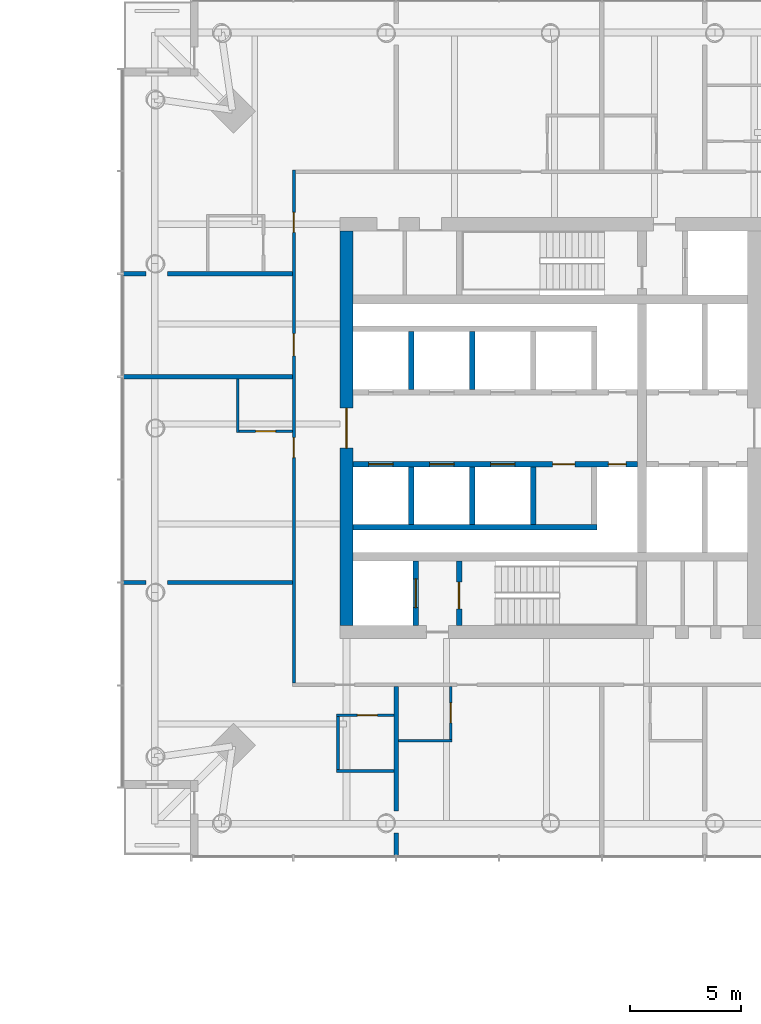
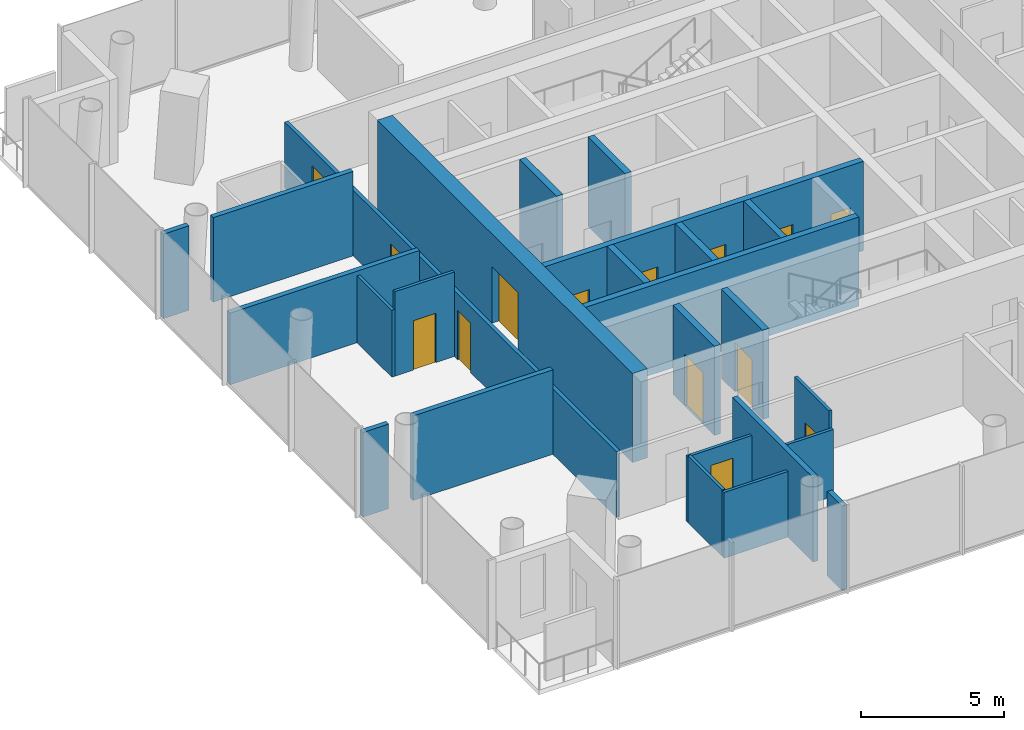
# One storey, part 14 of 21: 25 walls, 14 doors, 14 openings.
"""IFC4 building model written with IfcOpenShell, lengths in metres."""

from ifc_helpers import new_model, si_unit, direction, frame, frame_2d, origin, place, context, subcontext, project, spatial, rectangle, extrude, material, layer, layer_set, type_object, element, fill, save


model = new_model("IFC4")

# Units and contexts
model_context = context("Model", 3, precision=1e-05, world=origin(), true_north=direction((0.0, 1.0)))
body_context = subcontext(model_context, "Body", "Model", "MODEL_VIEW")
ifc_project = project(units=[si_unit("LENGTHUNIT", "METRE"), si_unit("AREAUNIT", "SQUARE_METRE"), si_unit("VOLUMEUNIT", "CUBIC_METRE"), si_unit("PLANEANGLEUNIT", "RADIAN"), si_unit("MASSUNIT", "GRAM", prefix="KILO")], contexts=[model_context])

# Site, building, storey
site_placement = place(None, origin())
site = spatial("IfcSite", under=ifc_project, at=site_placement, CompositionType="ELEMENT")
building_placement = place(site_placement, origin())
building = spatial("IfcBuilding", under=site, at=building_placement, Name="Ostroluk Exchange", CompositionType="ELEMENT")
storey_placement = place(building_placement, frame((0.0, 0.0, 47.60009765625)))
storey = spatial("IfcBuildingStorey", under=building, at=storey_placement, Name="L11", CompositionType="ELEMENT", Elevation=47.60009765625)

# Wall, opening, door
ifc_material_1 = material(Name="Concrete C40/50", Category="concrete")
ifc_layer_1 = layer(ifc_material_1, 0.25)
ifc_layer_set_1 = layer_set([ifc_layer_1], Name="Core shaft wall 250")
wall_type_1 = type_object("IfcWallType", Name="Core shaft wall 250", PredefinedType="SHEAR", material=ifc_layer_set_1)
wall_1_placement = place(storey_placement, frame((110.925048828125, 37.10009765625, 0.0), z_axis=(0.0, 0.0, 1.0), x_axis=(0.0, 1.0, 0.0)))
wall_1 = element("IfcWall", 1, at=wall_1_placement, inside=storey, type_object=wall_type_1, Name="Firefighting lift shaft wall", PredefinedType="SHEAR", context=body_context, shape_type="SweptSolid", body=[
    extrude(rectangle(XDim=2.89990234375, YDim=0.25, at=frame_2d((1.449951171875, 0.0))), origin(), (0.0, 0.0, 1.0), 3.7998046875),
])
opening_1_placement = place(wall_1_placement, frame((0.800048828125, 0.0, 0.0)))
opening_1 = element("IfcOpeningElement", 2, at=opening_1_placement, cuts=wall_1, Name="Opening LD2", PredefinedType="OPENING", context=body_context, shape_type="SweptSolid", body=[
    extrude(rectangle(XDim=1.300048828125, YDim=2.199951171875, at=frame_2d((0.64990234375, 1.10009765625))), frame((0.0, 0.135009765625, 0.0), z_axis=(0.0, -1.0, 0.0), x_axis=(1.0, 0.0, 0.0)), (0.0, 0.0, 1.0), 0.27001953125),
])
ifc_material_2 = material(Name="Stainless steel", Category="steel")
door_type_1 = type_object("IfcDoorType", Name="Lift landing door E 60 1300 x 2200", OperationType="DOUBLE_DOOR_SLIDING", PredefinedType="DOOR", material=ifc_material_2)
door_1_placement = place(opening_1_placement, origin())
door_1 = element("IfcDoor", 3, at=door_1_placement, inside=storey, type_object=door_type_1, Name="Lift HF1 landing door", OperationType="DOUBLE_DOOR_SLIDING", OverallHeight=2.199951171875, OverallWidth=1.300048828125, PredefinedType="DOOR", context=body_context, shape_type="SweptSolid", body=[
    extrude(rectangle(XDim=1.300048828125, YDim=2.199951171875, at=frame_2d((0.64990234375, 1.10009765625))), frame((0.0, 0.02490234375, 0.0), z_axis=(0.0, -1.0, 0.0), x_axis=(1.0, 0.0, 0.0)), (0.0, 0.0, 1.0), 0.050048828125),
])
fill(opening_1, door_1)

wall_2_placement = place(storey_placement, frame((112.875, 37.10009765625, 0.0), z_axis=(0.0, 0.0, 1.0), x_axis=(0.0, 1.0, 0.0)))
wall_2 = element("IfcWall", 4, at=wall_2_placement, inside=storey, type_object=wall_type_1, Name="Stair shaft wall", PredefinedType="SHEAR", context=body_context, shape_type="SweptSolid", body=[
    extrude(rectangle(XDim=2.89990234375, YDim=0.25, at=frame_2d((1.449951171875, 0.0))), origin(), (0.0, 0.0, 1.0), 3.7998046875),
])
opening_2_placement = place(wall_2_placement, frame((0.75, 0.0, 0.0)))
opening_2 = element("IfcOpeningElement", 5, at=opening_2_placement, cuts=wall_2, Name="Opening FD60S", PredefinedType="OPENING", context=body_context, shape_type="SweptSolid", body=[
    extrude(rectangle(XDim=1.199951171875, YDim=2.10009765625, at=frame_2d((0.60009765625, 1.050048828125))), frame((0.0, 0.135009765625, 0.0), z_axis=(0.0, -1.0, 0.0), x_axis=(1.0, 0.0, 0.0)), (0.0, 0.0, 1.0), 0.27001953125),
])
ifc_material_3 = material(Name="Steel", Category="steel")
door_type_2 = type_object("IfcDoorType", Name="Stair door EI 60 1200 x 2100", OperationType="SINGLE_SWING_LEFT", PredefinedType="DOOR", material=ifc_material_3)
door_2_placement = place(opening_2_placement, origin())
door_2 = element("IfcDoor", 6, at=door_2_placement, inside=storey, type_object=door_type_2, Name="Stair T2-S1 door", OperationType="SINGLE_SWING_LEFT", OverallHeight=2.10009765625, OverallWidth=1.199951171875, PredefinedType="DOOR", context=body_context, shape_type="SweptSolid", body=[
    extrude(rectangle(XDim=1.199951171875, YDim=2.10009765625, at=frame_2d((0.60009765625, 1.050048828125))), frame((0.0, 0.02490234375, 0.0), z_axis=(0.0, -1.0, 0.0), x_axis=(1.0, 0.0, 0.0)), (0.0, 0.0, 1.0), 0.050048828125),
])
fill(opening_2, door_2)

# Walls
for number, where, z_axis, x_axis, name in (
    (7, (110.72509765625, 47.75, 0.0), (0.0, 0.0, 1.0), (0.0, 1.0, 0.0), "Lift shaft wall"),
    (8, (113.47509765625, 47.75, 0.0), (0.0, 0.0, 1.0), (0.0, 1.0, 0.0), "Lift shaft wall"),
    (9, (110.72509765625, 44.25, 0.0), (0.0, 0.0, 1.0), (0.0, -1.0, 0.0), "Lift shaft wall"),
    (10, (113.47509765625, 44.25, 0.0), (0.0, 0.0, 1.0), (0.0, -1.0, 0.0), "Lift shaft wall"),
    (11, (116.22509765625, 44.25, 0.0), (0.0, 0.0, 1.0), (0.0, -1.0, 0.0), "Lift shaft wall"),
):
    element("IfcWall", number, at=place(storey_placement, frame(where, z_axis=z_axis, x_axis=x_axis)), inside=storey, type_object=wall_type_1, Name=name, PredefinedType="SHEAR", context=body_context, shape_type="SweptSolid", body=[
        extrude(rectangle(XDim=2.60009765625, YDim=0.25, at=frame_2d((1.300048828125, 0.0))), origin(), (0.0, 0.0, 1.0), 3.7998046875),
    ])
wall_3_placement = place(storey_placement, frame((108.10009765625, 41.52490234375, 0.0), z_axis=(0.0, 0.0, 1.0), x_axis=(1.0, 0.0, 0.0)))
element("IfcWall", 12, at=wall_3_placement, inside=storey, type_object=wall_type_1, Name="Lift shaft wall", PredefinedType="SHEAR", context=body_context, shape_type="SweptSolid", body=[
    extrude(rectangle(XDim=11.0, YDim=0.25, at=frame_2d((5.5, 0.0))), origin(), (0.0, 0.0, 1.0), 3.7998046875),
])

# Wall, openings, doors
wall_4_placement = place(storey_placement, frame((108.10009765625, 44.375, 0.0), z_axis=(0.0, 0.0, 1.0), x_axis=(1.0, 0.0, 0.0)))
wall_4 = element("IfcWall", 13, at=wall_4_placement, inside=storey, type_object=wall_type_1, Name="Lift shaft front wall", PredefinedType="SHEAR", context=body_context, shape_type="SweptSolid", body=[
    extrude(rectangle(XDim=12.829833984375, YDim=0.25, at=frame_2d((6.4150390625, 0.0))), origin(), (0.0, 0.0, 1.0), 3.7998046875),
])
opening_3_placement = place(wall_4_placement, frame((0.699951171875, 0.0, 0.0)))
opening_3 = element("IfcOpeningElement", 14, at=opening_3_placement, cuts=wall_4, Name="Opening LD", PredefinedType="OPENING", context=body_context, shape_type="SweptSolid", body=[
    extrude(rectangle(XDim=1.10009765625, YDim=2.199951171875, at=frame_2d((0.550048828125, 1.10009765625))), frame((0.0, 0.135009765625, 0.0), z_axis=(0.0, -1.0, 0.0), x_axis=(1.0, 0.0, 0.0)), (0.0, 0.0, 1.0), 0.27001953125),
])
opening_4_placement = place(wall_4_placement, frame((3.449951171875, 0.0, 0.0)))
opening_4 = element("IfcOpeningElement", 15, at=opening_4_placement, cuts=wall_4, Name="Opening LD", PredefinedType="OPENING", context=body_context, shape_type="SweptSolid", body=[
    extrude(rectangle(XDim=1.10009765625, YDim=2.199951171875, at=frame_2d((0.550048828125, 1.10009765625))), frame((0.0, 0.135009765625, 0.0), z_axis=(0.0, -1.0, 0.0), x_axis=(1.0, 0.0, 0.0)), (0.0, 0.0, 1.0), 0.27001953125),
])
opening_5_placement = place(wall_4_placement, frame((6.199951171875, 0.0, 0.0)))
opening_5 = element("IfcOpeningElement", 16, at=opening_5_placement, cuts=wall_4, Name="Opening LD", PredefinedType="OPENING", context=body_context, shape_type="SweptSolid", body=[
    extrude(rectangle(XDim=1.10009765625, YDim=2.199951171875, at=frame_2d((0.550048828125, 1.10009765625))), frame((0.0, 0.135009765625, 0.0), z_axis=(0.0, -1.0, 0.0), x_axis=(1.0, 0.0, 0.0)), (0.0, 0.0, 1.0), 0.27001953125),
])
opening_6_placement = place(wall_4_placement, frame((9.0, 0.0, 0.0)))
opening_6 = element("IfcOpeningElement", 17, at=opening_6_placement, cuts=wall_4, Name="Opening FD60", PredefinedType="OPENING", context=body_context, shape_type="SweptSolid", body=[
    extrude(rectangle(XDim=1.0, YDim=2.10009765625, at=frame_2d((0.5, 1.050048828125))), frame((0.0, 0.135009765625, 0.0), z_axis=(0.0, -1.0, 0.0), x_axis=(1.0, 0.0, 0.0)), (0.0, 0.0, 1.0), 0.27001953125),
])
opening_7_placement = place(wall_4_placement, frame((11.514892578125, 0.0, 0.0)))
opening_7 = element("IfcOpeningElement", 18, at=opening_7_placement, cuts=wall_4, Name="Opening RD60", PredefinedType="OPENING", context=body_context, shape_type="SweptSolid", body=[
    extrude(rectangle(XDim=0.800048828125, YDim=2.0, at=frame_2d((0.39990234375, 1.0))), frame((0.0, 0.135009765625, 0.0), z_axis=(0.0, -1.0, 0.0), x_axis=(1.0, 0.0, 0.0)), (0.0, 0.0, 1.0), 0.27001953125),
])
ifc_material_4 = material(Name="Steel", Category="steel")
door_type_3 = type_object("IfcDoorType", Name="Fire door EI 60 1000 x 2100", OperationType="SINGLE_SWING_LEFT", PredefinedType="DOOR", material=ifc_material_4)
door_3_placement = place(opening_6_placement, origin())
door_3 = element("IfcDoor", 19, at=door_3_placement, inside=storey, type_object=door_type_3, Name="Core room door", OperationType="SINGLE_SWING_RIGHT", OverallHeight=2.10009765625, OverallWidth=1.0, PredefinedType="DOOR", context=body_context, shape_type="SweptSolid", body=[
    extrude(rectangle(XDim=1.0, YDim=2.10009765625, at=frame_2d((0.5, 1.050048828125))), frame((0.0, 0.02490234375, 0.0), z_axis=(0.0, -1.0, 0.0), x_axis=(1.0, 0.0, 0.0)), (0.0, 0.0, 1.0), 0.050048828125),
])
fill(opening_6, door_3)
ifc_material_5 = material(Name="Stainless steel", Category="steel")
door_type_4 = type_object("IfcDoorType", Name="Lift landing door E 60 1100 x 2200", OperationType="DOUBLE_DOOR_SLIDING", PredefinedType="DOOR", material=ifc_material_5)
door_4_placement = place(opening_3_placement, origin())
door_4 = element("IfcDoor", 20, at=door_4_placement, inside=storey, type_object=door_type_4, Name="Lift HL5 landing door", OperationType="DOUBLE_DOOR_SLIDING", OverallHeight=2.199951171875, OverallWidth=1.10009765625, PredefinedType="DOOR", context=body_context, shape_type="SweptSolid", body=[
    extrude(rectangle(XDim=1.10009765625, YDim=2.199951171875, at=frame_2d((0.550048828125, 1.10009765625))), frame((0.0, 0.02490234375, 0.0), z_axis=(0.0, -1.0, 0.0), x_axis=(1.0, 0.0, 0.0)), (0.0, 0.0, 1.0), 0.050048828125),
])
fill(opening_3, door_4)
door_5_placement = place(opening_4_placement, origin())
door_5 = element("IfcDoor", 21, at=door_5_placement, inside=storey, type_object=door_type_4, Name="Lift HL6 landing door", OperationType="DOUBLE_DOOR_SLIDING", OverallHeight=2.199951171875, OverallWidth=1.10009765625, PredefinedType="DOOR", context=body_context, shape_type="SweptSolid", body=[
    extrude(rectangle(XDim=1.10009765625, YDim=2.199951171875, at=frame_2d((0.550048828125, 1.10009765625))), frame((0.0, 0.02490234375, 0.0), z_axis=(0.0, -1.0, 0.0), x_axis=(1.0, 0.0, 0.0)), (0.0, 0.0, 1.0), 0.050048828125),
])
fill(opening_4, door_5)
door_6_placement = place(opening_5_placement, origin())
door_6 = element("IfcDoor", 22, at=door_6_placement, inside=storey, type_object=door_type_4, Name="Lift HL7 landing door", OperationType="DOUBLE_DOOR_SLIDING", OverallHeight=2.199951171875, OverallWidth=1.10009765625, PredefinedType="DOOR", context=body_context, shape_type="SweptSolid", body=[
    extrude(rectangle(XDim=1.10009765625, YDim=2.199951171875, at=frame_2d((0.550048828125, 1.10009765625))), frame((0.0, 0.02490234375, 0.0), z_axis=(0.0, -1.0, 0.0), x_axis=(1.0, 0.0, 0.0)), (0.0, 0.0, 1.0), 0.050048828125),
])
fill(opening_5, door_6)
ifc_material_6 = material(Name="Steel", Category="steel")
door_type_5 = type_object("IfcDoorType", Name="Riser access door EI 60 800 x 2000", OperationType="SINGLE_SWING_LEFT", PredefinedType="DOOR", material=ifc_material_6)
door_7_placement = place(opening_7_placement, origin())
door_7 = element("IfcDoor", 23, at=door_7_placement, inside=storey, type_object=door_type_5, Name="Riser access door", OperationType="SINGLE_SWING_RIGHT", OverallHeight=2.0, OverallWidth=0.800048828125, PredefinedType="DOOR", context=body_context, shape_type="SweptSolid", body=[
    extrude(rectangle(XDim=0.800048828125, YDim=2.0, at=frame_2d((0.39990234375, 1.0))), frame((0.0, 0.02490234375, 0.0), z_axis=(0.0, -1.0, 0.0), x_axis=(1.0, 0.0, 0.0)), (0.0, 0.0, 1.0), 0.050048828125),
])
fill(opening_7, door_7)

# Wall, opening, door
ifc_material_7 = material(Name="Concrete C50/60", Category="concrete")
ifc_layer_2 = layer(ifc_material_7, 0.60009765625)
ifc_layer_set_2 = layer_set([ifc_layer_2], Name="Core wall 600 C50/60")
wall_type_2 = type_object("IfcWallType", Name="Core wall 600 C50/60", PredefinedType="SHEAR", material=ifc_layer_set_2)
wall_5_placement = place(storey_placement, frame((107.800048828125, 37.10009765625, 0.0), z_axis=(0.0, 0.0, 1.0), x_axis=(0.0, 1.0, 0.0)))
wall_5 = element("IfcWall", 24, at=wall_5_placement, inside=storey, type_object=wall_type_2, Name="T2 core wall W", PredefinedType="SHEAR", context=body_context, shape_type="SweptSolid", body=[
    extrude(rectangle(XDim=17.7998046875, YDim=0.60009765625, at=frame_2d((8.89990234375, 0.0))), origin(), (0.0, 0.0, 1.0), 3.7998046875),
])
opening_8_placement = place(wall_5_placement, frame((8.0, 0.0, 0.0)))
opening_8 = element("IfcOpeningElement", 25, at=opening_8_placement, cuts=wall_5, Name="Opening FD30D", PredefinedType="OPENING", context=body_context, shape_type="SweptSolid", body=[
    extrude(rectangle(XDim=1.800048828125, YDim=2.39990234375, at=frame_2d((0.89990234375, 1.199951171875))), frame((0.0, 0.31005859375, 0.0), z_axis=(0.0, -1.0, 0.0), x_axis=(1.0, 0.0, 0.0)), (0.0, 0.0, 1.0), 0.6201171875),
])
ifc_material_8 = material(Name="Timber", Category="wood")
door_type_6 = type_object("IfcDoorType", Name="Lobby double door EI 30 1800 x 2400", OperationType="DOUBLE_DOOR_SINGLE_SWING", PredefinedType="DOOR", material=ifc_material_8)
door_8_placement = place(opening_8_placement, origin())
door_8 = element("IfcDoor", 26, at=door_8_placement, inside=storey, type_object=door_type_6, Name="Lift lobby doors", OperationType="DOUBLE_DOOR_SINGLE_SWING", OverallHeight=2.39990234375, OverallWidth=1.800048828125, PredefinedType="DOOR", context=body_context, shape_type="SweptSolid", body=[
    extrude(rectangle(XDim=1.800048828125, YDim=2.39990234375, at=frame_2d((0.89990234375, 1.199951171875))), frame((0.0, 0.02490234375, 0.0), z_axis=(0.0, -1.0, 0.0), x_axis=(1.0, 0.0, 0.0)), (0.0, 0.0, 1.0), 0.050048828125),
])
fill(opening_8, door_8)

# Wall
ifc_material_9 = material(Name="Gypsum plasterboard partition, moisture resistant", Category="gypsum")
ifc_layer_3 = layer(ifc_material_9, 0.1201171875)
ifc_layer_set_3 = layer_set([ifc_layer_3], Name="Plasterboard en-suite wall 120")
wall_type_3 = type_object("IfcWallType", Name="Plasterboard en-suite wall 120", PredefinedType="PARTITIONING", material=ifc_layer_set_3)
wall_6_placement = place(storey_placement, frame((102.889892578125, 48.221435546875, 0.0), z_axis=(0.0, 0.0, 1.0), x_axis=(0.0, -1.0, 0.0)))
element("IfcWall", 27, at=wall_6_placement, inside=storey, type_object=wall_type_3, Name="En-suite wall", PredefinedType="PARTITIONING", context=body_context, shape_type="SweptSolid", body=[
    extrude(rectangle(XDim=2.419921875, YDim=0.1201171875, at=frame_2d((1.2099609375, 0.0))), origin(), (0.0, 0.0, 1.0), 2.846923828125),
])

# Wall, opening, door
wall_7_placement = place(storey_placement, frame((105.35009765625, 45.861328125, 0.0), z_axis=(0.0, 0.0, 1.0), x_axis=(-1.0, 0.0, 0.0)))
wall_7 = element("IfcWall", 28, at=wall_7_placement, inside=storey, type_object=wall_type_3, Name="En-suite wall", PredefinedType="PARTITIONING", context=body_context, shape_type="SweptSolid", body=[
    extrude(rectangle(XDim=2.400146484375, YDim=0.1201171875, at=frame_2d((1.2001953125, 0.0))), origin(), (0.0, 0.0, 1.0), 3.599853515625),
])
opening_9_placement = place(wall_7_placement, frame((0.75, 0.0, 0.0)))
opening_9 = element("IfcOpeningElement", 29, at=opening_9_placement, cuts=wall_7, Name="Opening D-02", PredefinedType="OPENING", context=body_context, shape_type="SweptSolid", body=[
    extrude(rectangle(XDim=0.89990234375, YDim=2.10009765625, at=frame_2d((0.449951171875, 1.050048828125))), frame((0.0, 0.070068359375, 0.0), z_axis=(0.0, -1.0, 0.0), x_axis=(1.0, 0.0, 0.0)), (0.0, 0.0, 1.0), 0.14013671875),
])
ifc_material_10 = material(Name="Timber", Category="wood")
door_type_7 = type_object("IfcDoorType", Name="En-suite door 900 x 2100", OperationType="SINGLE_SWING_LEFT", PredefinedType="DOOR", material=ifc_material_10)
door_9_placement = place(opening_9_placement, origin())
door_9 = element("IfcDoor", 30, at=door_9_placement, inside=storey, type_object=door_type_7, Name="En-suite door 1108", OperationType="SINGLE_SWING_RIGHT", OverallHeight=2.10009765625, OverallWidth=0.89990234375, PredefinedType="DOOR", context=body_context, shape_type="SweptSolid", body=[
    extrude(rectangle(XDim=0.89990234375, YDim=2.10009765625, at=frame_2d((0.449951171875, 1.050048828125))), frame((0.0, 0.02490234375, 0.0), z_axis=(0.0, -1.0, 0.0), x_axis=(1.0, 0.0, 0.0)), (0.0, 0.0, 1.0), 0.050048828125),
])
fill(opening_9, door_9)

wall_8_placement = place(storey_placement, frame((109.935791015625, 33.050048828125, 0.0), z_axis=(0.0, 0.0, 1.0), x_axis=(-1.0, 0.0, 0.0)))
wall_8 = element("IfcWall", 31, at=wall_8_placement, inside=storey, type_object=wall_type_3, Name="En-suite wall", PredefinedType="PARTITIONING", context=body_context, shape_type="SweptSolid", body=[
    extrude(rectangle(XDim=2.580078125, YDim=0.1201171875, at=frame_2d((1.2900390625, 0.0))), origin(), (0.0, 0.0, 1.0), 2.7998046875),
])
opening_10_placement = place(wall_8_placement, frame((0.75, 0.0, 0.0)))
opening_10 = element("IfcOpeningElement", 32, at=opening_10_placement, cuts=wall_8, Name="Opening D-02", PredefinedType="OPENING", context=body_context, shape_type="SweptSolid", body=[
    extrude(rectangle(XDim=0.89990234375, YDim=2.10009765625, at=frame_2d((0.449951171875, 1.050048828125))), frame((0.0, 0.070068359375, 0.0), z_axis=(0.0, -1.0, 0.0), x_axis=(1.0, 0.0, 0.0)), (0.0, 0.0, 1.0), 0.14013671875),
])
door_10_placement = place(opening_10_placement, origin())
door_10 = element("IfcDoor", 33, at=door_10_placement, inside=storey, type_object=door_type_7, Name="En-suite door 1109", OperationType="SINGLE_SWING_LEFT", OverallHeight=2.10009765625, OverallWidth=0.89990234375, PredefinedType="DOOR", context=body_context, shape_type="SweptSolid", body=[
    extrude(rectangle(XDim=0.89990234375, YDim=2.10009765625, at=frame_2d((0.449951171875, 1.050048828125))), frame((0.0, 0.02490234375, 0.0), z_axis=(0.0, -1.0, 0.0), x_axis=(1.0, 0.0, 0.0)), (0.0, 0.0, 1.0), 0.050048828125),
])
fill(opening_10, door_10)

# Walls
wall_9_placement = place(storey_placement, frame((109.935791015625, 30.530029296875, 0.0), z_axis=(0.0, 0.0, 1.0), x_axis=(-1.0, 0.0, 0.0)))
element("IfcWall", 34, at=wall_9_placement, inside=storey, type_object=wall_type_3, Name="En-suite wall", PredefinedType="PARTITIONING", context=body_context, shape_type="SweptSolid", body=[
    extrude(rectangle(XDim=2.580078125, YDim=0.1201171875, at=frame_2d((1.2900390625, 0.0))), origin(), (0.0, 0.0, 1.0), 2.7998046875),
])
wall_10_placement = place(storey_placement, frame((107.415771484375, 32.989990234375, 0.0), z_axis=(0.0, 0.0, 1.0), x_axis=(0.0, -1.0, 0.0)))
element("IfcWall", 35, at=wall_10_placement, inside=storey, type_object=wall_type_3, Name="En-suite wall", PredefinedType="PARTITIONING", context=body_context, shape_type="SweptSolid", body=[
    extrude(rectangle(XDim=2.39990234375, YDim=0.1201171875, at=frame_2d((1.199951171875, 0.0))), origin(), (0.0, 0.0, 1.0), 2.846923828125),
])
wall_11_placement = place(storey_placement, frame((110.1357421875, 31.889892578125, 0.0), z_axis=(0.0, 0.0, 1.0), x_axis=(1.0, 0.0, 0.0)))
element("IfcWall", 36, at=wall_11_placement, inside=storey, type_object=wall_type_3, Name="En-suite wall", PredefinedType="PARTITIONING", context=body_context, shape_type="SweptSolid", body=[
    extrude(rectangle(XDim=2.419921875, YDim=0.1201171875, at=frame_2d((1.2099609375, 0.0))), origin(), (0.0, 0.0, 1.0), 2.846923828125),
])

# Wall, opening, door
wall_12_placement = place(storey_placement, frame((112.49560546875, 34.35009765625, 0.0), z_axis=(0.0, 0.0, 1.0), x_axis=(0.0, -1.0, 0.0)))
wall_12 = element("IfcWall", 37, at=wall_12_placement, inside=storey, type_object=wall_type_3, Name="En-suite wall", PredefinedType="PARTITIONING", context=body_context, shape_type="SweptSolid", body=[
    extrude(rectangle(XDim=2.400146484375, YDim=0.1201171875, at=frame_2d((1.2001953125, 0.0))), origin(), (0.0, 0.0, 1.0), 3.599853515625),
])
opening_11_placement = place(wall_12_placement, frame((0.75, 0.0, 0.0)))
opening_11 = element("IfcOpeningElement", 38, at=opening_11_placement, cuts=wall_12, Name="Opening D-02", PredefinedType="OPENING", context=body_context, shape_type="SweptSolid", body=[
    extrude(rectangle(XDim=0.89990234375, YDim=2.10009765625, at=frame_2d((0.449951171875, 1.050048828125))), frame((0.0, 0.070068359375, 0.0), z_axis=(0.0, -1.0, 0.0), x_axis=(1.0, 0.0, 0.0)), (0.0, 0.0, 1.0), 0.14013671875),
])
door_11_placement = place(opening_11_placement, origin())
door_11 = element("IfcDoor", 39, at=door_11_placement, inside=storey, type_object=door_type_7, Name="En-suite door 1110", OperationType="SINGLE_SWING_LEFT", OverallHeight=2.10009765625, OverallWidth=0.89990234375, PredefinedType="DOOR", context=body_context, shape_type="SweptSolid", body=[
    extrude(rectangle(XDim=0.89990234375, YDim=2.10009765625, at=frame_2d((0.449951171875, 1.050048828125))), frame((0.0, 0.02490234375, 0.0), z_axis=(0.0, -1.0, 0.0), x_axis=(1.0, 0.0, 0.0)), (0.0, 0.0, 1.0), 0.050048828125),
])
fill(opening_11, door_11)

# Wall, openings, doors
ifc_material_11 = material(Name="Gypsum plasterboard partition", Category="gypsum")
ifc_layer_4 = layer(ifc_material_11, 0.14990234375)
ifc_layer_set_4 = layer_set([ifc_layer_4], Name="Plasterboard partition 150")
wall_type_4 = type_object("IfcWallType", Name="Plasterboard partition 150", PredefinedType="PARTITIONING", material=ifc_layer_set_4)
wall_13_placement = place(storey_placement, frame((105.425048828125, 57.64990234375, 0.0), z_axis=(0.0, 0.0, 1.0), x_axis=(0.0, -1.0, 0.0)))
wall_13 = element("IfcWall", 40, at=wall_13_placement, inside=storey, type_object=wall_type_4, Name="Corridor wall", PredefinedType="PARTITIONING", context=body_context, shape_type="SweptSolid", body=[
    extrude(rectangle(XDim=23.14990234375, YDim=0.14990234375, at=frame_2d((11.574951171875, 0.0))), origin(), (0.0, 0.0, 1.0), 2.7998046875),
])
opening_12_placement = place(wall_13_placement, frame((1.91796875, 0.0, 0.0)))
opening_12 = element("IfcOpeningElement", 41, at=opening_12_placement, cuts=wall_13, Name="Opening D-01", PredefinedType="OPENING", context=body_context, shape_type="SweptSolid", body=[
    extrude(rectangle(XDim=0.89990234375, YDim=2.10009765625, at=frame_2d((0.449951171875, 1.050048828125))), frame((0.0, 0.0849609375, 0.0), z_axis=(0.0, -1.0, 0.0), x_axis=(1.0, 0.0, 0.0)), (0.0, 0.0, 1.0), 0.169921875),
])
opening_13_placement = place(wall_13_placement, frame((7.3857421875, 0.0, 0.0)))
opening_13 = element("IfcOpeningElement", 42, at=opening_13_placement, cuts=wall_13, Name="Opening D-03", PredefinedType="OPENING", context=body_context, shape_type="SweptSolid", body=[
    extrude(rectangle(XDim=1.0, YDim=2.10009765625, at=frame_2d((0.5, 1.050048828125))), frame((0.0, 0.0849609375, 0.0), z_axis=(0.0, -1.0, 0.0), x_axis=(1.0, 0.0, 0.0)), (0.0, 0.0, 1.0), 0.169921875),
])
opening_14_placement = place(wall_13_placement, frame((12.07861328125, 0.0, 0.0)))
opening_14 = element("IfcOpeningElement", 43, at=opening_14_placement, cuts=wall_13, Name="Opening D-01", PredefinedType="OPENING", context=body_context, shape_type="SweptSolid", body=[
    extrude(rectangle(XDim=0.89990234375, YDim=2.10009765625, at=frame_2d((0.449951171875, 1.050048828125))), frame((0.0, 0.0849609375, 0.0), z_axis=(0.0, -1.0, 0.0), x_axis=(1.0, 0.0, 0.0)), (0.0, 0.0, 1.0), 0.169921875),
])
ifc_material_12 = material(Name="Timber", Category="wood")
door_type_8 = type_object("IfcDoorType", Name="Hotel room door EI 30 Sa 900 x 2100", OperationType="SINGLE_SWING_LEFT", PredefinedType="DOOR", material=ifc_material_12)
door_12_placement = place(opening_12_placement, origin())
door_12 = element("IfcDoor", 44, at=door_12_placement, inside=storey, type_object=door_type_8, Name="Room door 1107", OperationType="SINGLE_SWING_LEFT", OverallHeight=2.10009765625, OverallWidth=0.89990234375, PredefinedType="DOOR", context=body_context, shape_type="SweptSolid", body=[
    extrude(rectangle(XDim=0.89990234375, YDim=2.10009765625, at=frame_2d((0.449951171875, 1.050048828125))), frame((0.0, 0.02490234375, 0.0), z_axis=(0.0, -1.0, 0.0), x_axis=(1.0, 0.0, 0.0)), (0.0, 0.0, 1.0), 0.050048828125),
])
fill(opening_12, door_12)
door_13_placement = place(opening_14_placement, origin())
door_13 = element("IfcDoor", 45, at=door_13_placement, inside=storey, type_object=door_type_8, Name="Room door 1108", OperationType="SINGLE_SWING_RIGHT", OverallHeight=2.10009765625, OverallWidth=0.89990234375, PredefinedType="DOOR", context=body_context, shape_type="SweptSolid", body=[
    extrude(rectangle(XDim=0.89990234375, YDim=2.10009765625, at=frame_2d((0.449951171875, 1.050048828125))), frame((0.0, 0.02490234375, 0.0), z_axis=(0.0, -1.0, 0.0), x_axis=(1.0, 0.0, 0.0)), (0.0, 0.0, 1.0), 0.050048828125),
])
fill(opening_14, door_13)
ifc_material_13 = material(Name="Timber", Category="wood")
door_type_9 = type_object("IfcDoorType", Name="Internal door 1000 x 2100", OperationType="SINGLE_SWING_LEFT", PredefinedType="DOOR", material=ifc_material_13)
door_14_placement = place(opening_13_placement, origin())
door_14 = element("IfcDoor", 46, at=door_14_placement, inside=storey, type_object=door_type_9, Name="Housekeeping store door", OperationType="SINGLE_SWING_LEFT", OverallHeight=2.10009765625, OverallWidth=1.0, PredefinedType="DOOR", context=body_context, shape_type="SweptSolid", body=[
    extrude(rectangle(XDim=1.0, YDim=2.10009765625, at=frame_2d((0.5, 1.050048828125))), frame((0.0, 0.02490234375, 0.0), z_axis=(0.0, -1.0, 0.0), x_axis=(1.0, 0.0, 0.0)), (0.0, 0.0, 1.0), 0.050048828125),
])
fill(opening_13, door_14)

# Walls
ifc_material_14 = material(Name="Gypsum plasterboard partition", Category="gypsum")
ifc_layer_5 = layer(ifc_material_14, 0.199951171875)
ifc_layer_set_5 = layer_set([ifc_layer_5], Name="Plasterboard party wall 200")
wall_type_5 = type_object("IfcWallType", Name="Plasterboard party wall 200", PredefinedType="PARTITIONING", material=ifc_layer_set_5)
wall_14_placement = place(storey_placement, frame((105.35009765625, 52.96435546875, 0.0), z_axis=(0.0, 0.0, 1.0), x_axis=(-1.0, 0.0, 0.0)))
element("IfcWall", 47, at=wall_14_placement, inside=storey, type_object=wall_type_5, Name="Party wall", PredefinedType="PARTITIONING", context=body_context, shape_type="SweptSolid", body=[
    extrude(rectangle(XDim=5.63330078125, YDim=0.199951171875, at=frame_2d((2.816650390625, 0.0))), origin(), (0.0, 0.0, 1.0), 3.599853515625),
])
wall_15_placement = place(storey_placement, frame((98.739990234375, 52.96435546875, 0.0), z_axis=(0.0, 0.0, 1.0), x_axis=(-1.0, 0.0, 0.0)))
element("IfcWall", 48, at=wall_15_placement, inside=storey, type_object=wall_type_5, Name="Party wall", PredefinedType="PARTITIONING", context=body_context, shape_type="SweptSolid", body=[
    extrude(rectangle(XDim=1.030029296875, YDim=0.199951171875, at=frame_2d((0.51513671875, 0.0))), origin(), (0.0, 0.0, 1.0), 3.599853515625),
])
wall_16_placement = place(storey_placement, frame((105.35009765625, 48.321533203125, 0.0), z_axis=(0.0, 0.0, 1.0), x_axis=(-1.0, 0.0, 0.0)))
element("IfcWall", 49, at=wall_16_placement, inside=storey, type_object=wall_type_5, Name="Party wall", PredefinedType="PARTITIONING", context=body_context, shape_type="SweptSolid", body=[
    extrude(rectangle(XDim=7.64013671875, YDim=0.199951171875, at=frame_2d((3.820068359375, 0.0))), origin(), (0.0, 0.0, 1.0), 3.0498046875),
])
wall_17_placement = place(storey_placement, frame((105.35009765625, 39.03564453125, 0.0), z_axis=(0.0, 0.0, 1.0), x_axis=(-1.0, 0.0, 0.0)))
element("IfcWall", 50, at=wall_17_placement, inside=storey, type_object=wall_type_5, Name="Party wall", PredefinedType="PARTITIONING", context=body_context, shape_type="SweptSolid", body=[
    extrude(rectangle(XDim=5.63330078125, YDim=0.199951171875, at=frame_2d((2.816650390625, 0.0))), origin(), (0.0, 0.0, 1.0), 3.599853515625),
])
wall_18_placement = place(storey_placement, frame((98.739990234375, 39.03564453125, 0.0), z_axis=(0.0, 0.0, 1.0), x_axis=(-1.0, 0.0, 0.0)))
element("IfcWall", 51, at=wall_18_placement, inside=storey, type_object=wall_type_5, Name="Party wall", PredefinedType="PARTITIONING", context=body_context, shape_type="SweptSolid", body=[
    extrude(rectangle(XDim=1.030029296875, YDim=0.199951171875, at=frame_2d((0.51513671875, 0.0))), origin(), (0.0, 0.0, 1.0), 3.599853515625),
])
wall_19_placement = place(storey_placement, frame((110.03564453125, 34.35009765625, 0.0), z_axis=(0.0, 0.0, 1.0), x_axis=(0.0, -1.0, 0.0)))
element("IfcWall", 52, at=wall_19_placement, inside=storey, type_object=wall_type_5, Name="Party wall", PredefinedType="PARTITIONING", context=body_context, shape_type="SweptSolid", body=[
    extrude(rectangle(XDim=5.63330078125, YDim=0.199951171875, at=frame_2d((2.816650390625, 0.0))), origin(), (0.0, 0.0, 1.0), 3.599853515625),
])
wall_20_placement = place(storey_placement, frame((110.03564453125, 27.739990234375, 0.0), z_axis=(0.0, 0.0, 1.0), x_axis=(0.0, -1.0, 0.0)))
element("IfcWall", 53, at=wall_20_placement, inside=storey, type_object=wall_type_5, Name="Party wall", PredefinedType="PARTITIONING", context=body_context, shape_type="SweptSolid", body=[
    extrude(rectangle(XDim=1.030029296875, YDim=0.199951171875, at=frame_2d((0.51513671875, 0.0))), origin(), (0.0, 0.0, 1.0), 3.599853515625),
])

save(model, "model.ifc")
